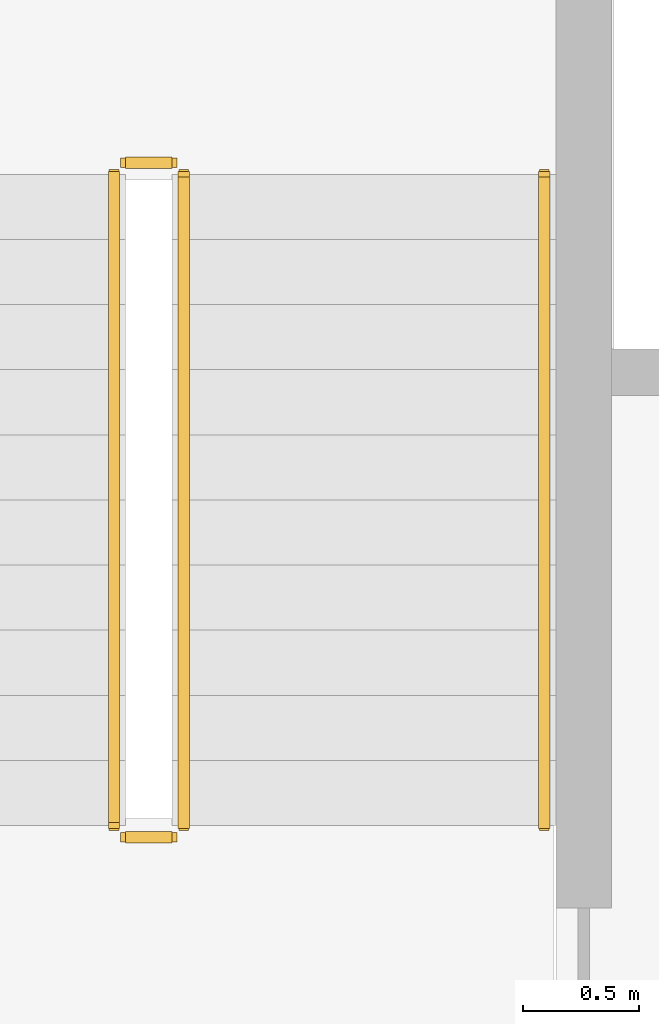
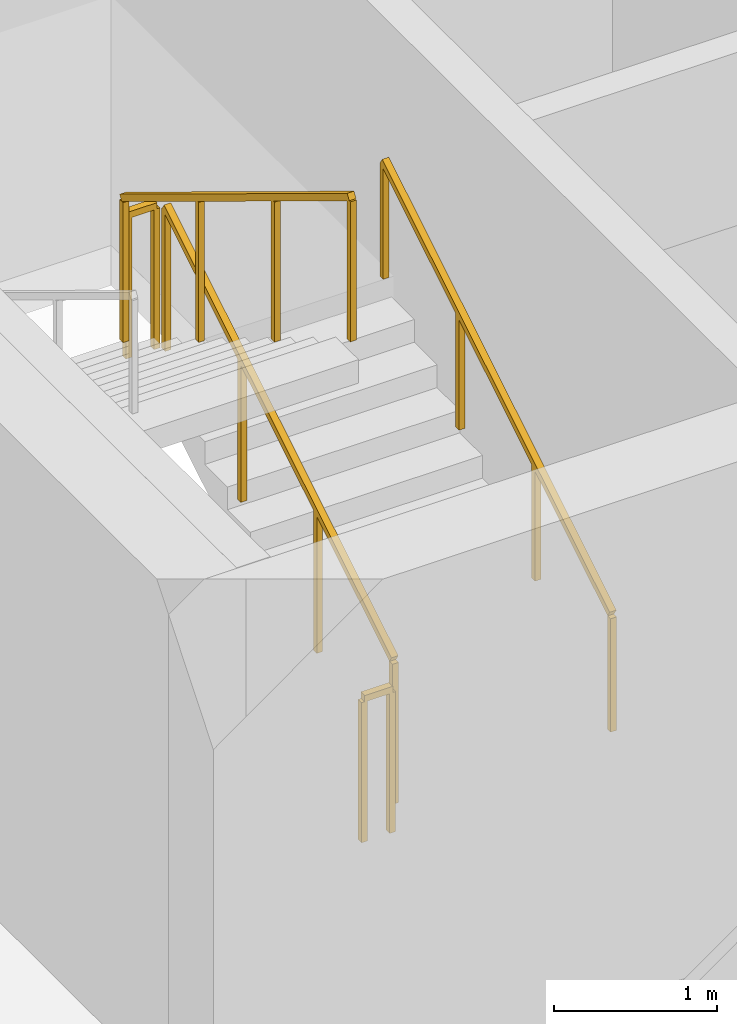
# One storey, part 30 of 34: 5 railings.
"""IFC4 building model written with IfcOpenShell, lengths in metres."""

from ifc_helpers import new_model, si_unit, direction, frame, origin, origin_2d, place, context, subcontext, project, spatial, rectangle, extrude, material, type_object, element, save


model = new_model("IFC4")

# Units and contexts
model_context = context("Model", 3, precision=1e-05, world=origin(), true_north=direction((0.0, 1.0)))
body_context = subcontext(model_context, "Body", "Model", "MODEL_VIEW")
ifc_project = project(units=[si_unit("LENGTHUNIT", "METRE"), si_unit("AREAUNIT", "SQUARE_METRE"), si_unit("VOLUMEUNIT", "CUBIC_METRE"), si_unit("PLANEANGLEUNIT", "RADIAN"), si_unit("MASSUNIT", "GRAM", prefix="KILO")], contexts=[model_context])

# Site, building, storey
site_placement = place(None, origin())
site = spatial("IfcSite", under=ifc_project, at=site_placement, CompositionType="ELEMENT")
building_placement = place(site_placement, origin())
building = spatial("IfcBuilding", under=site, at=building_placement, Name="Haldenkirk Collegiate Tower", CompositionType="ELEMENT")
storey_placement = place(building_placement, frame((0.0, 0.0, 90.449951171875)))
storey = spatial("IfcBuildingStorey", under=building, at=storey_placement, Name="L21", CompositionType="ELEMENT", Elevation=90.449951171875)

# Railings
ifc_material = material(Name="Painted architectural tubular steel", Category="steel")
railing_type_1 = type_object("IfcRailingType", Name="RLG-STAIR-GUARD-1100", PredefinedType="BALUSTRADE", material=ifc_material)
railing_1_placement = place(storey_placement, frame((29.35009765625, 20.050048828125, 0.17041015625)))
element("IfcRailing", 1, at=railing_1_placement, inside=storey, type_object=railing_type_1, Name="L21 ST-1 stair guard 1", PredefinedType="BALUSTRADE", context=body_context, shape_type="SweptSolid", body=[
    extrude(rectangle(XDim=0.048095703125, YDim=0.048095703125, at=origin_2d()), frame((0.0, 0.0, 1.076171875), z_axis=(0.0, 0.854169791009, 0.51999420009), x_axis=(-1.0, 0.0, 0.0)), (0.0, 0.0, 1.0), 3.278076171875),
    extrude(rectangle(XDim=0.0419921875, YDim=0.0419921875, at=origin_2d()), origin(), (0.0, 0.0, 1.0), 1.052001953125),
    extrude(rectangle(XDim=0.0419921875, YDim=0.0419921875, at=origin_2d()), frame((0.0, 0.933349609375, 0.568115234375)), (0.0, 0.0, 1.0), 1.052001953125),
    extrude(rectangle(XDim=0.0419921875, YDim=0.0419921875, at=origin_2d()), frame((0.0, 1.86669921875, 1.136474609375)), (0.0, 0.0, 1.0), 1.052001953125),
    extrude(rectangle(XDim=0.0419921875, YDim=0.0419921875, at=origin_2d()), frame((0.0, 2.800048828125, 1.70458984375)), (0.0, 0.0, 1.0), 1.052001953125),
])
railing_2_placement = place(storey_placement, frame((29.300048828125, 22.89990234375, 1.875)))
element("IfcRailing", 2, at=railing_2_placement, inside=storey, type_object=railing_type_1, Name="L21 ST-1 stair guard 2", PredefinedType="BALUSTRADE", context=body_context, shape_type="SweptSolid", body=[
    extrude(rectangle(XDim=0.048095703125, YDim=0.048095703125, at=origin_2d()), frame((0.0, 0.0, 1.076171875), z_axis=(-1.0, 0.0, 0.0), x_axis=(0.0, -1.0, 0.0)), (0.0, 0.0, 1.0), 0.199951171875),
    extrude(rectangle(XDim=0.0419921875, YDim=0.0419921875, at=origin_2d()), origin(), (0.0, 0.0, 1.0), 1.052001953125),
    extrude(rectangle(XDim=0.0419921875, YDim=0.0419921875, at=origin_2d()), frame((-0.199951171875, 0.0, 0.0)), (0.0, 0.0, 1.0), 1.052001953125),
])
railing_3_placement = place(storey_placement, frame((29.050048828125, 22.85009765625, 2.04541015625)))
element("IfcRailing", 3, at=railing_3_placement, inside=storey, type_object=railing_type_1, Name="L21 ST-1 stair guard 3", PredefinedType="BALUSTRADE", context=body_context, shape_type="SweptSolid", body=[
    extrude(rectangle(XDim=0.048095703125, YDim=0.048095703125, at=origin_2d()), frame((0.0, 0.0, 1.076171875), z_axis=(0.0, -0.854169791009, 0.51999420009), x_axis=(1.0, 0.0, 0.0)), (0.0, 0.0, 1.0), 3.278076171875),
    extrude(rectangle(XDim=0.0419921875, YDim=0.0419921875, at=origin_2d()), origin(), (0.0, 0.0, 1.0), 1.052001953125),
    extrude(rectangle(XDim=0.0419921875, YDim=0.0419921875, at=origin_2d()), frame((0.0, -0.933349609375, 0.568115234375)), (0.0, 0.0, 1.0), 1.052001953125),
    extrude(rectangle(XDim=0.0419921875, YDim=0.0419921875, at=origin_2d()), frame((0.0, -1.86669921875, 1.136474609375)), (0.0, 0.0, 1.0), 1.052001953125),
    extrude(rectangle(XDim=0.0419921875, YDim=0.0419921875, at=origin_2d()), frame((0.0, -2.800048828125, 1.70458984375)), (0.0, 0.0, 1.0), 1.052001953125),
])
railing_4_placement = place(storey_placement, frame((29.300048828125, 20.0, 0.0)))
element("IfcRailing", 4, at=railing_4_placement, inside=storey, type_object=railing_type_1, Name="L21 ST-1 stair guard 4", PredefinedType="BALUSTRADE", context=body_context, shape_type="SweptSolid", body=[
    extrude(rectangle(XDim=0.048095703125, YDim=0.048095703125, at=origin_2d()), frame((0.0, 0.0, 1.076171875), z_axis=(-1.0, 0.0, 0.0), x_axis=(0.0, -1.0, 0.0)), (0.0, 0.0, 1.0), 0.199951171875),
    extrude(rectangle(XDim=0.0419921875, YDim=0.0419921875, at=origin_2d()), origin(), (0.0, 0.0, 1.0), 1.052001953125),
    extrude(rectangle(XDim=0.0419921875, YDim=0.0419921875, at=origin_2d()), frame((-0.199951171875, 0.0, 0.0)), (0.0, 0.0, 1.0), 1.052001953125),
])
railing_type_2 = type_object("IfcRailingType", Name="RLG-STAIR-HANDRAIL-900", PredefinedType="HANDRAIL", material=ifc_material)
railing_5_placement = place(storey_placement, frame((30.89990234375, 20.050048828125, 0.17041015625)))
element("IfcRailing", 5, at=railing_5_placement, inside=storey, type_object=railing_type_2, Name="L21 ST-1 stair handrail 1", PredefinedType="HANDRAIL", context=body_context, shape_type="SweptSolid", body=[
    extrude(rectangle(XDim=0.048095703125, YDim=0.048095703125, at=origin_2d()), frame((0.0, 0.0, 0.8759765625), z_axis=(0.0, 0.854169791009, 0.51999420009), x_axis=(-1.0, 0.0, 0.0)), (0.0, 0.0, 1.0), 3.278076171875),
    extrude(rectangle(XDim=0.0419921875, YDim=0.0419921875, at=origin_2d()), origin(), (0.0, 0.0, 1.0), 0.851806640625),
    extrude(rectangle(XDim=0.0419921875, YDim=0.0419921875, at=origin_2d()), frame((0.0, 0.933349609375, 0.568115234375)), (0.0, 0.0, 1.0), 0.851806640625),
    extrude(rectangle(XDim=0.0419921875, YDim=0.0419921875, at=origin_2d()), frame((0.0, 1.86669921875, 1.136474609375)), (0.0, 0.0, 1.0), 0.851806640625),
    extrude(rectangle(XDim=0.0419921875, YDim=0.0419921875, at=origin_2d()), frame((0.0, 2.800048828125, 1.70458984375)), (0.0, 0.0, 1.0), 0.851806640625),
])

save(model, "model.ifc")
